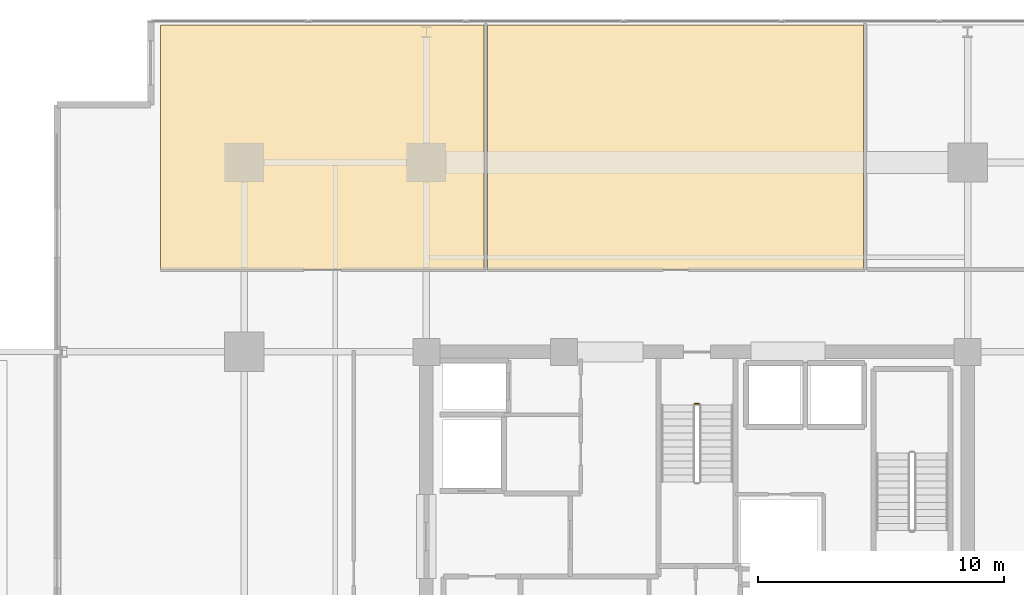
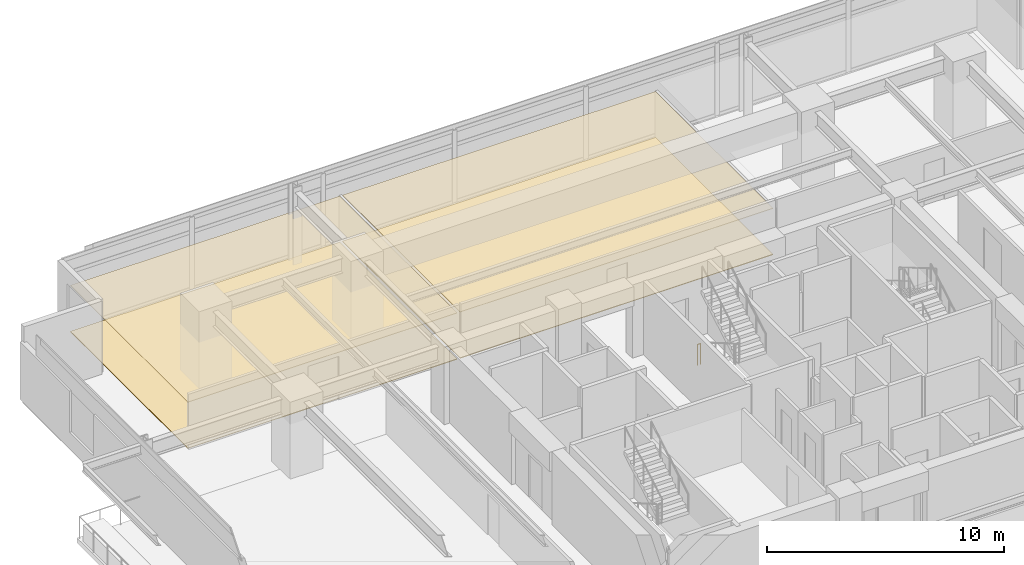
# One storey, part 22 of 23: 4 coverings, 1 railing.
"""IFC4 building model written with IfcOpenShell, lengths in metres."""

from ifc_helpers import new_model, si_unit, direction, frame, origin, origin_2d, place, context, subcontext, project, spatial, polyline, circle, outline, extrude, material, layer, layer_set, type_object, element, save


model = new_model("IFC4")

# Units and contexts
model_context = context("Model", 3, precision=1e-05, world=origin(), true_north=direction((0.0, 1.0)))
body_context = subcontext(model_context, "Body", "Model", "MODEL_VIEW")
ifc_project = project(units=[si_unit("LENGTHUNIT", "METRE"), si_unit("AREAUNIT", "SQUARE_METRE"), si_unit("VOLUMEUNIT", "CUBIC_METRE"), si_unit("PLANEANGLEUNIT", "RADIAN"), si_unit("MASSUNIT", "GRAM", prefix="KILO")], contexts=[model_context])

# Site, building, storey
site_placement = place(None, origin())
site = spatial("IfcSite", under=ifc_project, at=site_placement, CompositionType="ELEMENT")
building_placement = place(site_placement, origin())
building = spatial("IfcBuilding", under=site, at=building_placement, Name="Kovane Verandah Tower", CompositionType="ELEMENT")
storey_placement = place(building_placement, frame((0.0, 0.0, 140.39990234375)))
storey = spatial("IfcBuildingStorey", under=building, at=storey_placement, Name="L32", CompositionType="ELEMENT", Elevation=140.39990234375)

# Coverings
ifc_material_1 = material(Name="Perforated Acoustic Mineral-Fibre Ceiling Tile", Category="gypsum")
ifc_layer_1 = layer(ifc_material_1, 0.02490234375)
ifc_layer_set_1 = layer_set([ifc_layer_1], Name="Perforated Acoustic Mineral-Fibre Ceiling Tile")
covering_type_1 = type_object("IfcCoveringType", Name="CV-CEIL-25", PredefinedType="CEILING", material=ifc_layer_set_1)
covering_1_placement = place(storey_placement, frame((0.0, 0.0, 2.380126953125)))
element("IfcCovering", 1, at=covering_1_placement, inside=storey, type_object=covering_type_1, Name="L32 Client Boardroom N1 Acoustic Ceiling", PredefinedType="CEILING", context=body_context, shape_type="SweptSolid", body=[
    extrude(outline(polyline([(18.198974609375, 39.85009765625), (31.34619140625, 39.85009765625), (31.34619140625, 49.790771484375), (18.198974609375, 49.790771484375), (18.198974609375, 39.85009765625)])), origin(), (0.0, 0.0, 1.0), 0.02490234375),
])
covering_2_placement = place(storey_placement, frame((0.0, 0.0, 2.380126953125)))
element("IfcCovering", 2, at=covering_2_placement, inside=storey, type_object=covering_type_1, Name="L32 Meeting Room N2 Acoustic Ceiling", PredefinedType="CEILING", context=body_context, shape_type="SweptSolid", body=[
    extrude(outline(polyline([(31.486083984375, 39.85009765625), (46.76611328125, 39.85009765625), (46.76611328125, 49.790771484375), (31.486083984375, 49.790771484375), (31.486083984375, 39.85009765625)])), origin(), (0.0, 0.0, 1.0), 0.02490234375),
])
ifc_material_2 = material(Name="Polished Terrazzo and Raised-Access Carpet Tile Finish", Category="concrete")
ifc_layer_2 = layer(ifc_material_2, 0.030029296875)
ifc_layer_set_2 = layer_set([ifc_layer_2], Name="Polished Terrazzo and Raised-Access Carpet Tile Finish")
covering_type_2 = type_object("IfcCoveringType", Name="CV-FLOR-30", PredefinedType="FLOORING", material=ifc_layer_set_2)
covering_3_placement = place(storey_placement, origin())
element("IfcCovering", 3, at=covering_3_placement, inside=storey, type_object=covering_type_2, Name="L32 Client Boardroom N1 Floor Finish", PredefinedType="FLOORING", context=body_context, shape_type="SweptSolid", body=[
    extrude(outline(polyline([(18.198974609375, 39.85009765625), (31.34619140625, 39.85009765625), (31.34619140625, 49.790771484375), (18.198974609375, 49.790771484375), (18.198974609375, 39.85009765625)])), origin(), (0.0, 0.0, 1.0), 0.030029296875),
])
covering_4_placement = place(storey_placement, origin())
element("IfcCovering", 4, at=covering_4_placement, inside=storey, type_object=covering_type_2, Name="L32 Meeting Room N2 Floor Finish", PredefinedType="FLOORING", context=body_context, shape_type="SweptSolid", body=[
    extrude(outline(polyline([(31.486083984375, 39.85009765625), (46.76611328125, 39.85009765625), (46.76611328125, 49.790771484375), (31.486083984375, 49.790771484375), (31.486083984375, 39.85009765625)])), origin(), (0.0, 0.0, 1.0), 0.030029296875),
])

# Railing
ifc_material_3 = material(Name="Painted Steel Stairwell Guardrail", Category="steel")
railing_type = type_object("IfcRailingType", Name="RL-STGUARD-1120", PredefinedType="GUARDRAIL", material=ifc_material_3)
railing_placement = place(storey_placement, frame((39.919921875, 34.39990234375, 0.0)))
element("IfcRailing", 5, at=railing_placement, inside=storey, type_object=railing_type, Name="L32 ST-03 stair guard 4", PredefinedType="GUARDRAIL", context=body_context, shape_type="SweptSolid", body=[
    extrude(circle(Radius=0.02392578125, at=origin_2d()), frame((0.0, 0.0, 1.076171875), z_axis=(1.0, 0.0, 0.0), x_axis=(0.0, 1.0, 0.0)), (0.0, 0.0, 1.0), 0.16015625),
    extrude(circle(Radius=0.02099609375, at=origin_2d()), origin(), (0.0, 0.0, 1.0), 1.052001953125),
    extrude(circle(Radius=0.02099609375, at=origin_2d()), frame((0.16015625, 0.0, 0.0)), (0.0, 0.0, 1.0), 1.052001953125),
])

save(model, "model.ifc")
